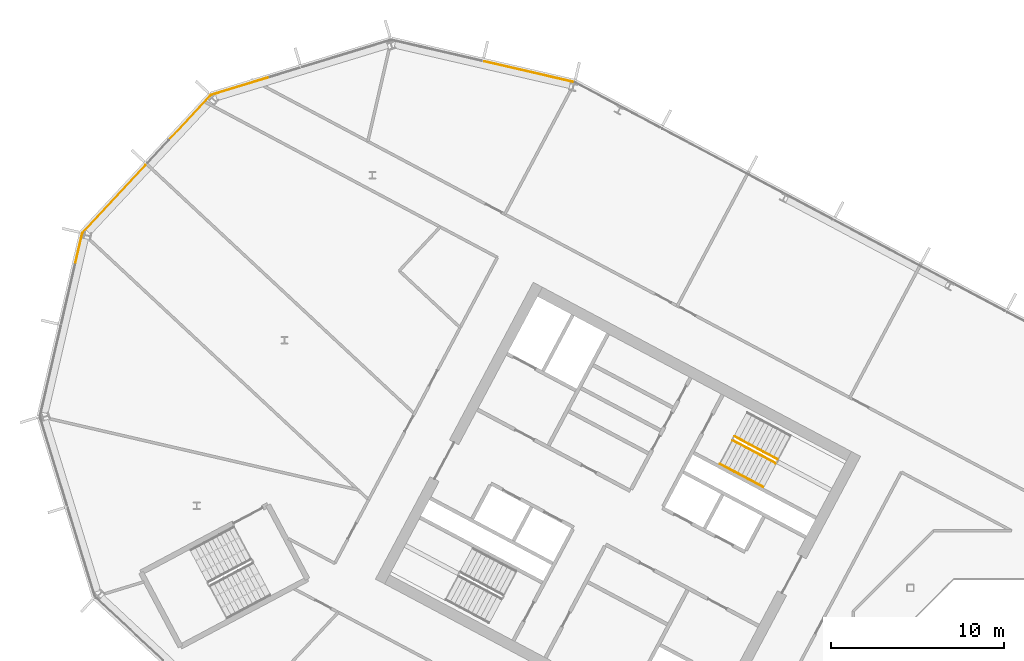
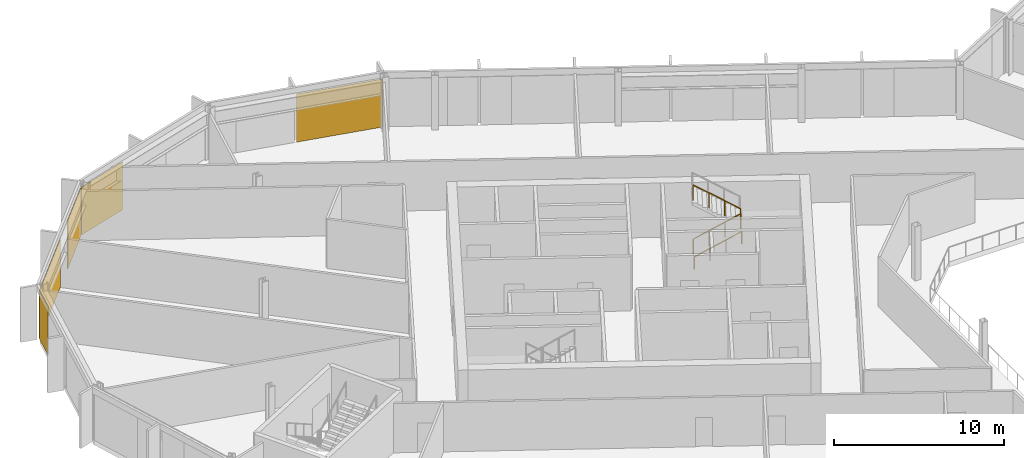
# One storey, part 22 of 27: 5 coverings, 3 railings, 4 elements without a shape of their own.
"""IFC4 building model written with IfcOpenShell, lengths in metres."""

from ifc_helpers import new_model, si_unit, direction, frame, origin, origin_2d, place, context, subcontext, project, spatial, polyline, rectangle, outline, extrude, material, layer, layer_set, type_object, element, aggregate, save


model = new_model("IFC4")

# Units and contexts
model_context = context("Model", 3, precision=1e-05, world=origin(), true_north=direction((0.0, 1.0)))
body_context = subcontext(model_context, "Body", "Model", "MODEL_VIEW")
ifc_project = project(units=[si_unit("LENGTHUNIT", "METRE"), si_unit("AREAUNIT", "SQUARE_METRE"), si_unit("VOLUMEUNIT", "CUBIC_METRE"), si_unit("PLANEANGLEUNIT", "RADIAN"), si_unit("MASSUNIT", "GRAM", prefix="KILO")], contexts=[model_context])

# Site, building, storey
site_placement = place(None, origin())
site = spatial("IfcSite", under=ifc_project, at=site_placement, CompositionType="ELEMENT")
building_placement = place(site_placement, origin())
building = spatial("IfcBuilding", under=site, at=building_placement, Name="Cormorant Relay Tower", CompositionType="ELEMENT")
storey_placement = place(building_placement, frame((0.0, 0.0, 209.10009765625)))
storey = spatial("IfcBuildingStorey", under=building, at=storey_placement, Name="L45", CompositionType="ELEMENT", Elevation=209.10009765625)

# Curtain wall, covering
ifc_material_1 = material(Name="Aluminium 6063-T6 anodised bronze", Category="aluminium")
ifc_layer_1 = layer(ifc_material_1, 0.199951171875)
ifc_layer_set_1 = layer_set([ifc_layer_1], Name="CW1 unitised bronze curtain wall with vertical fins")
curtain_wall_type = type_object("IfcCurtainWallType", Name="CW1 unitised bronze curtain wall with vertical fins", PredefinedType="NOTDEFINED", material=ifc_layer_set_1)
curtain_wall_1_placement = place(storey_placement, origin())
curtain_wall_1 = element("IfcCurtainWall", 1, at=curtain_wall_1_placement, inside=storey, type_object=curtain_wall_type, Name="CW1 curtain wall 10", PredefinedType="NOTDEFINED")
ifc_material_2 = material(Name="Pale bronze anodised aluminium insulated panel", Category="aluminium")
ifc_layer_2 = layer(ifc_material_2, 0.0400390625)
ifc_layer_set_2 = layer_set([ifc_layer_2], Name="CW1 pale bronze insulated panel 40")
covering_type = type_object("IfcCoveringType", Name="CW1 pale bronze insulated panel 40", PredefinedType="CLADDING", material=ifc_layer_set_2)
covering_1_placement = place(storey_placement, frame((-32.51708984375, 40.298828125, 0.0), z_axis=(0.0, 0.0, 1.0), x_axis=(-0.974370064785, 0.224951054344, 0.0)))
covering_1 = element("IfcCovering", 2, at=covering_1_placement, type_object=covering_type, Name="CW1 panel S00", PredefinedType="CLADDING", context=body_context, shape_type="SweptSolid", body=[
    extrude(rectangle(XDim=5.28515625, YDim=0.0400390625, at=origin_2d()), origin(), (0.0, 0.0, 1.0), 3.449951171875),
])
aggregate(curtain_wall_1, [covering_1])

curtain_wall_2_placement = place(storey_placement, origin())
curtain_wall_2 = element("IfcCurtainWall", 3, at=curtain_wall_2_placement, inside=storey, type_object=curtain_wall_type, Name="CW1 curtain wall 11", PredefinedType="NOTDEFINED")
covering_2_placement = place(storey_placement, frame((-49.16455078125, 39.474853515625, 0.0), z_axis=(0.0, 0.0, 1.0), x_axis=(-0.956304755963, -0.292371704723, 0.0)))
covering_2 = element("IfcCovering", 4, at=covering_2_placement, type_object=covering_type, Name="CW1 panel S03", PredefinedType="CLADDING", context=body_context, shape_type="SweptSolid", body=[
    extrude(rectangle(XDim=3.560302734375, YDim=0.0400390625, at=origin_2d()), origin(), (0.0, 0.0, 1.0), 3.449951171875),
])
aggregate(curtain_wall_2, [covering_2])

# Curtain wall, coverings
curtain_wall_3_placement = place(storey_placement, origin())
curtain_wall_3 = element("IfcCurtainWall", 5, at=curtain_wall_3_placement, inside=storey, type_object=curtain_wall_type, Name="CW1 curtain wall 12", PredefinedType="NOTDEFINED")
covering_3_placement = place(storey_placement, frame((-52.115234375, 37.61962890625, 0.0), z_axis=(0.0, 0.0, 1.0), x_axis=(-0.681998360062, -0.731353701619, 0.0)))
covering_3 = element("IfcCovering", 6, at=covering_3_placement, type_object=covering_type, Name="CW1 panel S00", PredefinedType="CLADDING", context=body_context, shape_type="SweptSolid", body=[
    extrude(rectangle(XDim=3.485107421875, YDim=0.0400390625, at=origin_2d()), origin(), (0.0, 0.0, 1.0), 3.449951171875),
])
covering_4_placement = place(storey_placement, frame((-56.461181640625, 32.958984375, 0.0), z_axis=(0.0, 0.0, 1.0), x_axis=(-0.681998360062, -0.731353701619, 0.0)))
covering_4 = element("IfcCovering", 7, at=covering_4_placement, type_object=covering_type, Name="CW1 panel S02", PredefinedType="CLADDING", context=body_context, shape_type="SweptSolid", body=[
    extrude(rectangle(XDim=5.360107421875, YDim=0.0400390625, at=origin_2d()), origin(), (0.0, 0.0, 1.0), 3.449951171875),
])
aggregate(curtain_wall_3, [covering_3, covering_4])

# Curtain wall, covering
curtain_wall_4_placement = place(storey_placement, origin())
curtain_wall_4 = element("IfcCurtainWall", 8, at=curtain_wall_4_placement, inside=storey, type_object=curtain_wall_type, Name="CW1 curtain wall 13", PredefinedType="NOTDEFINED")
covering_5_placement = place(storey_placement, frame((-58.50048828125, 30.095458984375, 0.0), z_axis=(0.0, 0.0, 1.0), x_axis=(-0.224951054344, -0.974370064785, 0.0)))
covering_5 = element("IfcCovering", 9, at=covering_5_placement, type_object=covering_type, Name="CW1 panel S00", PredefinedType="CLADDING", context=body_context, shape_type="SweptSolid", body=[
    extrude(rectangle(XDim=1.685302734375, YDim=0.0400390625, at=origin_2d()), origin(), (0.0, 0.0, 1.0), 3.449951171875),
])
aggregate(curtain_wall_4, [covering_5])

# Railings
ifc_material_3 = material(Name="Steel ASTM A572 Grade 50 (Fy 345 MPa)", Category="steel")
railing_type_1 = type_object("IfcRailingType", Name="Stair guard 1100", PredefinedType="GUARDRAIL", material=ifc_material_3)
railing_1_placement = place(storey_placement, frame((-20.75048828125, 19.017822265625, 0.17724609375)))
element("IfcRailing", 10, at=railing_1_placement, inside=storey, type_object=railing_type_1, Name="L45 A1 stair guard 1", PredefinedType="GUARDRAIL", context=body_context, shape_type="SweptSolid", body=[
    extrude(outline(polyline([(0.022216796875, 0.00927734375), (0.00927734375, 0.022216796875), (-0.00927734375, 0.022216796875), (-0.022216796875, 0.00927734375), (-0.022216796875, -0.00927734375), (-0.00927734375, -0.022216796875), (0.00927734375, -0.022216796875), (0.022216796875, -0.00927734375), (0.022216796875, 0.00927734375)])), frame((0.0, 0.0, 1.076171875), z_axis=(0.746001213114, -0.396649272309, 0.534931345884), x_axis=(0.469465464807, 0.882950835185, 0.0)), (0.0, 0.0, 1.0), 3.31396484375),
    extrude(outline(polyline([(0.019287109375, 0.008056640625), (0.008056640625, 0.019287109375), (-0.008056640625, 0.019287109375), (-0.019287109375, 0.008056640625), (-0.019287109375, -0.008056640625), (-0.008056640625, -0.019287109375), (0.008056640625, -0.019287109375), (0.019287109375, -0.008056640625), (0.019287109375, 0.008056640625)])), origin(), (0.0, 0.0, 1.0), 1.052001953125),
    extrude(outline(polyline([(0.019287109375, 0.008056640625), (0.008056640625, 0.019287109375), (-0.008056640625, 0.019287109375), (-0.019287109375, 0.008056640625), (-0.019287109375, -0.008056640625), (-0.008056640625, -0.019287109375), (0.008056640625, -0.019287109375), (0.019287109375, -0.008056640625), (0.019287109375, 0.008056640625)])), frame((0.823974609375, -0.438232421875, 0.5908203125)), (0.0, 0.0, 1.0), 1.052001953125),
    extrude(outline(polyline([(0.019287109375, 0.008056640625), (0.008056640625, 0.019287109375), (-0.008056640625, 0.019287109375), (-0.019287109375, 0.008056640625), (-0.019287109375, -0.008056640625), (-0.008056640625, -0.019287109375), (0.008056640625, -0.019287109375), (0.019287109375, -0.008056640625), (0.019287109375, 0.008056640625)])), frame((1.648193359375, -0.876220703125, 1.181884765625)), (0.0, 0.0, 1.0), 1.052001953125),
    extrude(outline(polyline([(0.019287109375, 0.008056640625), (0.008056640625, 0.019287109375), (-0.008056640625, 0.019287109375), (-0.019287109375, 0.008056640625), (-0.019287109375, -0.008056640625), (-0.008056640625, -0.019287109375), (0.008056640625, -0.019287109375), (0.019287109375, -0.008056640625), (0.019287109375, 0.008056640625)])), frame((2.47216796875, -1.314453125, 1.772705078125)), (0.0, 0.0, 1.0), 1.052001953125),
])
railing_2_placement = place(storey_placement, frame((-18.160888671875, 17.924072265625, 2.127197265625)))
element("IfcRailing", 11, at=railing_2_placement, inside=storey, type_object=railing_type_1, Name="L45 A1 stair guard 3", PredefinedType="GUARDRAIL", context=body_context, shape_type="SweptSolid", body=[
    extrude(outline(polyline([(0.022216796875, 0.00927734375), (0.00927734375, 0.022216796875), (-0.00927734375, 0.022216796875), (-0.022216796875, 0.00927734375), (-0.022216796875, -0.00927734375), (-0.00927734375, -0.022216796875), (0.00927734375, -0.022216796875), (0.022216796875, -0.00927734375), (0.022216796875, 0.00927734375)])), frame((0.0, 0.0, 1.076171875), z_axis=(-0.746033882577, 0.396627473466, 0.534901947407), x_axis=(-0.469429322983, -0.882970050864, 0.0)), (0.0, 0.0, 1.0), 3.31396484375),
    extrude(outline(polyline([(0.019287109375, 0.008056640625), (0.008056640625, 0.019287109375), (-0.008056640625, 0.019287109375), (-0.019287109375, 0.008056640625), (-0.019287109375, -0.008056640625), (-0.008056640625, -0.019287109375), (0.008056640625, -0.019287109375), (0.019287109375, -0.008056640625), (0.019287109375, 0.008056640625)])), origin(), (0.0, 0.0, 1.0), 1.052001953125),
    extrude(outline(polyline([(0.019287109375, 0.008056640625), (0.008056640625, 0.019287109375), (-0.008056640625, 0.019287109375), (-0.019287109375, 0.008056640625), (-0.019287109375, -0.008056640625), (-0.008056640625, -0.019287109375), (0.008056640625, -0.019287109375), (0.019287109375, -0.008056640625), (0.019287109375, 0.008056640625)])), frame((-0.82421875, 0.438232421875, 0.5908203125)), (0.0, 0.0, 1.0), 1.052001953125),
    extrude(outline(polyline([(0.019287109375, 0.008056640625), (0.008056640625, 0.019287109375), (-0.008056640625, 0.019287109375), (-0.019287109375, 0.008056640625), (-0.019287109375, -0.008056640625), (-0.008056640625, -0.019287109375), (0.008056640625, -0.019287109375), (0.019287109375, -0.008056640625), (0.019287109375, 0.008056640625)])), frame((-1.648193359375, 0.876220703125, 1.181884765625)), (0.0, 0.0, 1.0), 1.052001953125),
    extrude(outline(polyline([(0.019287109375, 0.008056640625), (0.008056640625, 0.019287109375), (-0.008056640625, 0.019287109375), (-0.019287109375, 0.008056640625), (-0.019287109375, -0.008056640625), (-0.008056640625, -0.019287109375), (0.008056640625, -0.019287109375), (0.019287109375, -0.008056640625), (0.019287109375, 0.008056640625)])), frame((-2.472412109375, 1.314453125, 1.772705078125)), (0.0, 0.0, 1.0), 1.052001953125),
])
ifc_material_4 = material(Name="Steel ASTM A572 Grade 50 (Fy 345 MPa)", Category="steel")
railing_type_2 = type_object("IfcRailingType", Name="Stair handrail 900", PredefinedType="HANDRAIL", material=ifc_material_4)
railing_3_placement = place(storey_placement, frame((-21.478271484375, 17.6494140625, 0.17724609375)))
element("IfcRailing", 12, at=railing_3_placement, inside=storey, type_object=railing_type_2, Name="L45 A1 stair handrail 1", PredefinedType="HANDRAIL", context=body_context, shape_type="SweptSolid", body=[
    extrude(outline(polyline([(0.022216796875, 0.00927734375), (0.00927734375, 0.022216796875), (-0.00927734375, 0.022216796875), (-0.022216796875, 0.00927734375), (-0.022216796875, -0.00927734375), (-0.00927734375, -0.022216796875), (0.00927734375, -0.022216796875), (0.022216796875, -0.00927734375), (0.022216796875, 0.00927734375)])), frame((0.0, 0.0, 0.8759765625), z_axis=(0.746012083385, -0.396689549623, 0.534886317514), x_axis=(0.469497295046, 0.882933910293, 0.0)), (0.0, 0.0, 1.0), 3.314208984375),
    extrude(outline(polyline([(0.019287109375, 0.008056640625), (0.008056640625, 0.019287109375), (-0.008056640625, 0.019287109375), (-0.019287109375, 0.008056640625), (-0.019287109375, -0.008056640625), (-0.008056640625, -0.019287109375), (0.008056640625, -0.019287109375), (0.019287109375, -0.008056640625), (0.019287109375, 0.008056640625)])), origin(), (0.0, 0.0, 1.0), 0.851806640625),
    extrude(outline(polyline([(0.019287109375, 0.008056640625), (0.008056640625, 0.019287109375), (-0.008056640625, 0.019287109375), (-0.019287109375, 0.008056640625), (-0.019287109375, -0.008056640625), (-0.008056640625, -0.019287109375), (0.008056640625, -0.019287109375), (0.019287109375, -0.008056640625), (0.019287109375, 0.008056640625)])), frame((0.82421875, -0.438232421875, 0.5908203125)), (0.0, 0.0, 1.0), 0.851806640625),
    extrude(outline(polyline([(0.019287109375, 0.008056640625), (0.008056640625, 0.019287109375), (-0.008056640625, 0.019287109375), (-0.019287109375, 0.008056640625), (-0.019287109375, -0.008056640625), (-0.008056640625, -0.019287109375), (0.008056640625, -0.019287109375), (0.019287109375, -0.008056640625), (0.019287109375, 0.008056640625)])), frame((1.648193359375, -0.87646484375, 1.181884765625)), (0.0, 0.0, 1.0), 0.851806640625),
    extrude(outline(polyline([(0.019287109375, 0.008056640625), (0.008056640625, 0.019287109375), (-0.008056640625, 0.019287109375), (-0.019287109375, 0.008056640625), (-0.019287109375, -0.008056640625), (-0.008056640625, -0.019287109375), (0.008056640625, -0.019287109375), (0.019287109375, -0.008056640625), (0.019287109375, 0.008056640625)])), frame((2.472412109375, -1.314697265625, 1.772705078125)), (0.0, 0.0, 1.0), 0.851806640625),
])

save(model, "model.ifc")
